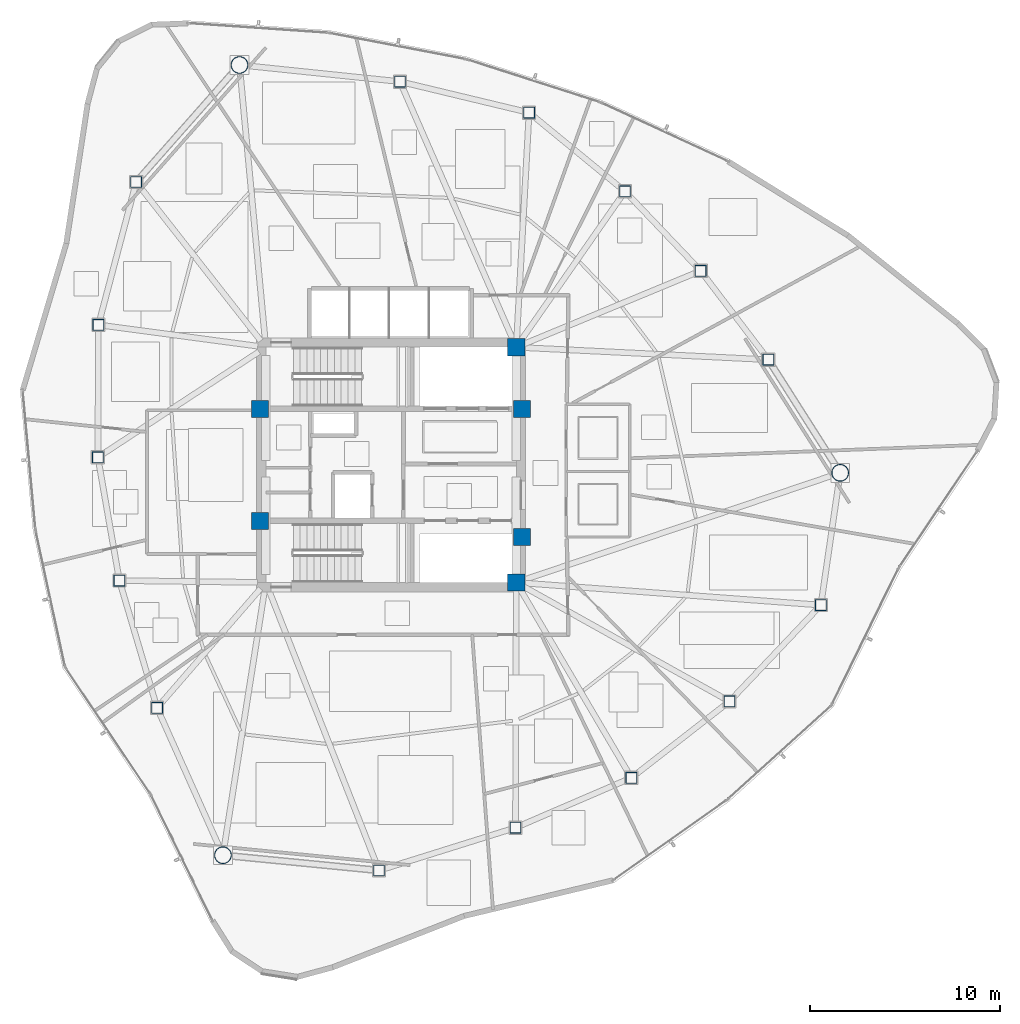
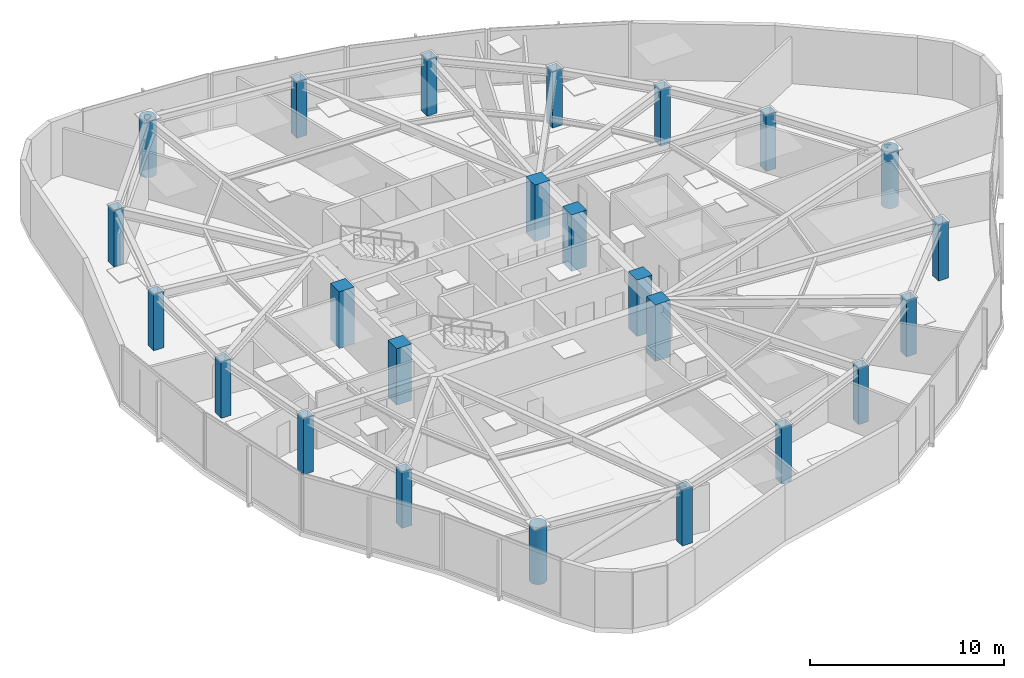
# One storey, part 1 of 17: 24 columns.
"""IFC4 building model written with IfcOpenShell, lengths in metres."""

from ifc_helpers import new_model, si_unit, direction, frame, origin, origin_2d, place, context, subcontext, project, spatial, rectangle, hollow_rectangle, hollow_circle, extrude, material, material_profile, profile_set, type_object, element, save


model = new_model("IFC4")

# Units and contexts
model_context = context("Model", 3, precision=1e-05, world=origin(), true_north=direction((0.0, 1.0)))
body_context = subcontext(model_context, "Body", "Model", "MODEL_VIEW")
ifc_project = project(units=[si_unit("LENGTHUNIT", "METRE"), si_unit("AREAUNIT", "SQUARE_METRE"), si_unit("VOLUMEUNIT", "CUBIC_METRE"), si_unit("PLANEANGLEUNIT", "RADIAN"), si_unit("MASSUNIT", "GRAM", prefix="KILO")], contexts=[model_context])

# Site, building, storey
site_placement = place(None, origin())
site = spatial("IfcSite", under=ifc_project, at=site_placement, CompositionType="ELEMENT")
building_placement = place(site_placement, origin())
building = spatial("IfcBuilding", under=site, at=building_placement, Name="Tavelor Broadcast Tower", CompositionType="ELEMENT")
storey_placement = place(building_placement, frame((0.0, 0.0, 196.449951171875)))
storey = spatial("IfcBuildingStorey", under=building, at=storey_placement, Name="L47", CompositionType="ELEMENT", Elevation=196.449951171875)

# Columns
ifc_material_1 = material(Name="Concrete C50/60", Category="concrete")
ifc_material_profile_1 = material_profile(ifc_material_1, rectangle(XDim=0.89990234375, YDim=0.89990234375, at=origin_2d()), Name="RC 900x900")
ifc_profile_set_1 = profile_set([ifc_material_profile_1], Name="Concrete C50/60")
column_type_1 = type_object("IfcColumnType", Name="Core Embedded Composite Column RC900", PredefinedType="COLUMN", material=ifc_profile_set_1)
for number, where, z_axis, x_axis, name in (
    (1, (43.10009765625, 47.949951171875, 0.0), (0.0, 0.0, 1.0), (1.0, 0.0, 0.0), "L47 Core Embedded Column 1"),
    (2, (56.89990234375, 47.949951171875, 0.0), (0.0, 0.0, 1.0), (1.0, 0.0, 0.0), "L47 Core Embedded Column 2"),
    (3, (56.60009765625, 51.199951171875, 0.0), (0.0, 0.0, 1.0), (1.0, 0.0, 0.0), "L47 Core Embedded Column 3"),
    (4, (43.10009765625, 42.050048828125, 0.0), (0.0, 0.0, 1.0), (1.0, 0.0, 0.0), "L47 Core Embedded Column 4"),
    (5, (56.89990234375, 41.199951171875, 0.0), (0.0, 0.0, 1.0), (1.0, 0.0, 0.0), "L47 Core Embedded Column 5"),
    (6, (56.60009765625, 38.800048828125, 0.0), (0.0, 0.0, 1.0), (1.0, 0.0, 0.0), "L47 Core Embedded Column 6"),
):
    element("IfcColumn", number, at=place(storey_placement, frame(where, z_axis=z_axis, x_axis=x_axis)), inside=storey, type_object=column_type_1, Name=name, PredefinedType="COLUMN", context=body_context, shape_type="SweptSolid", body=[
        extrude(rectangle(XDim=0.89990234375, YDim=0.89990234375, at=origin_2d()), origin(), (0.0, 0.0, 1.0), 3.550048828125),
    ])
ifc_material_2 = material(Name="Steel S460", Category="steel")
ifc_material_profile_2 = material_profile(ifc_material_2, hollow_rectangle(XDim=0.60009765625, YDim=0.60009765625, WallThickness=0.035888671875, at=origin_2d()), Name="SHS 600x600x36")
ifc_profile_set_2 = profile_set([ifc_material_profile_2], Name="Steel S460")
column_type_2 = type_object("IfcColumnType", Name="Perimeter Tube Column T4 SHS 600x600x36", PredefinedType="COLUMN", material=ifc_profile_set_2)
for number, where, z_axis, x_axis, name in (
    (7, (36.567626953125, 59.91064453125, 0.0), (0.0, 0.0, 1.0), (1.0, 0.0, 0.0), "L47 Perimeter Framed-Tube Column 02"),
    (8, (34.5751953125, 52.37939453125, 0.0), (0.0, 0.0, 1.0), (1.0, 0.0, 0.0), "L47 Perimeter Framed-Tube Column 03"),
    (9, (34.54638671875, 45.399169921875, 0.0), (0.0, 0.0, 1.0), (1.0, 0.0, 0.0), "L47 Perimeter Framed-Tube Column 04"),
    (10, (35.680908203125, 38.89990234375, 0.0), (0.0, 0.0, 1.0), (1.0, 0.0, 0.0), "L47 Perimeter Framed-Tube Column 05"),
    (11, (37.668212890625, 32.1904296875, 0.0), (0.0, 0.0, 1.0), (1.0, 0.0, 0.0), "L47 Perimeter Framed-Tube Column 06"),
    (12, (49.366455078125, 23.618896484375, 0.0), (0.0, 0.0, 1.0), (1.0, 0.0, 0.0), "L47 Perimeter Framed-Tube Column 08"),
    (13, (56.56103515625, 25.872802734375, 0.0), (0.0, 0.0, 1.0), (1.0, 0.0, 0.0), "L47 Perimeter Framed-Tube Column 09"),
    (14, (62.669189453125, 28.503173828125, 0.0), (0.0, 0.0, 1.0), (1.0, 0.0, 0.0), "L47 Perimeter Framed-Tube Column 10"),
    (15, (67.84228515625, 32.53173828125, 0.0), (0.0, 0.0, 1.0), (1.0, 0.0, 0.0), "L47 Perimeter Framed-Tube Column 11"),
    (16, (72.6591796875, 37.607421875, 0.0), (0.0, 0.0, 1.0), (1.0, 0.0, 0.0), "L47 Perimeter Framed-Tube Column 12"),
    (17, (69.885986328125, 50.544189453125, 0.0), (0.0, 0.0, 1.0), (1.0, 0.0, 0.0), "L47 Perimeter Framed-Tube Column 14"),
    (18, (66.322021484375, 55.228759765625, 0.0), (0.0, 0.0, 1.0), (1.0, 0.0, 0.0), "L47 Perimeter Framed-Tube Column 15"),
    (19, (62.330810546875, 59.416259765625, 0.0), (0.0, 0.0, 1.0), (1.0, 0.0, 0.0), "L47 Perimeter Framed-Tube Column 16"),
    (20, (57.276611328125, 63.568359375, 0.0), (0.0, 0.0, 1.0), (1.0, 0.0, 0.0), "L47 Perimeter Framed-Tube Column 17"),
    (21, (50.472412109375, 65.2021484375, 0.0), (0.0, 0.0, 1.0), (1.0, 0.0, 0.0), "L47 Perimeter Framed-Tube Column 18"),
):
    element("IfcColumn", number, at=place(storey_placement, frame(where, z_axis=z_axis, x_axis=x_axis)), inside=storey, type_object=column_type_2, Name=name, PredefinedType="COLUMN", context=body_context, shape_type="SweptSolid", body=[
        extrude(hollow_rectangle(XDim=0.60009765625, YDim=0.60009765625, WallThickness=0.035888671875, at=origin_2d()), origin(), (0.0, 0.0, 1.0), 3.550048828125),
    ])
ifc_material_profile_3 = material_profile(ifc_material_2, hollow_circle(Radius=0.45703125, WallThickness=0.0400390625, at=origin_2d()), Name="CHS 914x40")
ifc_profile_set_3 = profile_set([ifc_material_profile_3], Name="Steel S460")
column_type_3 = type_object("IfcColumnType", Name="Tower Mega Column T4 CHS 914x40", PredefinedType="COLUMN", material=ifc_profile_set_3)
for number, where, z_axis, x_axis, name in (
    (22, (42.01123046875, 66.080078125, 0.0), (0.0, 0.0, 1.0), (1.0, 0.0, 0.0), "L47 Tower Corner Mega Column 01"),
    (23, (41.138671875, 24.423828125, 0.0), (0.0, 0.0, 1.0), (1.0, 0.0, 0.0), "L47 Tower Corner Mega Column 07"),
    (24, (73.676025390625, 44.57958984375, 0.0), (0.0, 0.0, 1.0), (1.0, 0.0, 0.0), "L47 Tower Corner Mega Column 13"),
):
    element("IfcColumn", number, at=place(storey_placement, frame(where, z_axis=z_axis, x_axis=x_axis)), inside=storey, type_object=column_type_3, Name=name, PredefinedType="COLUMN", context=body_context, shape_type="SweptSolid", body=[
        extrude(hollow_circle(Radius=0.45703125, WallThickness=0.0400390625, at=origin_2d()), origin(), (0.0, 0.0, 1.0), 3.550048828125),
    ])

save(model, "model.ifc")
